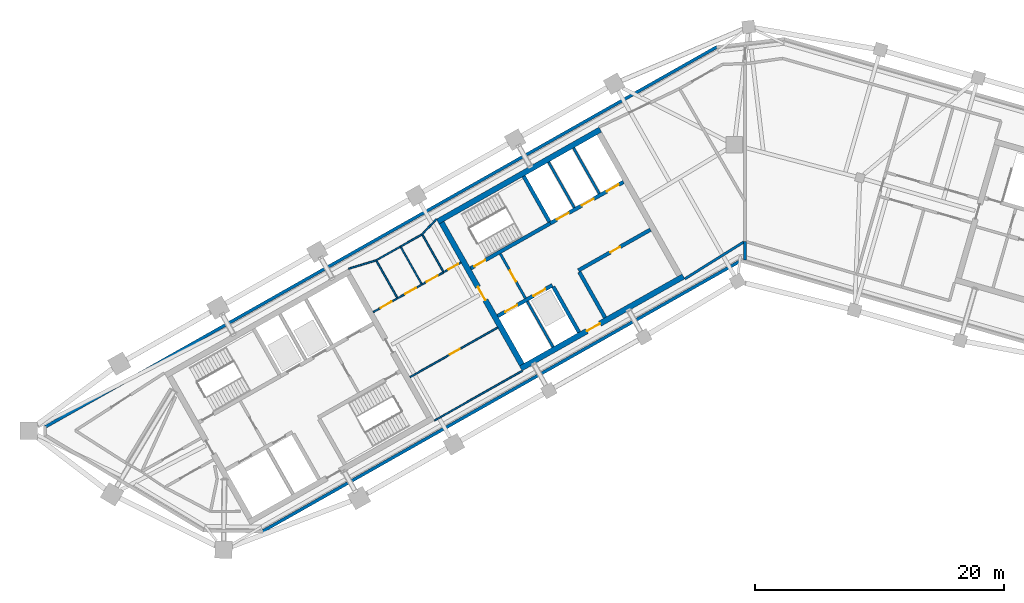
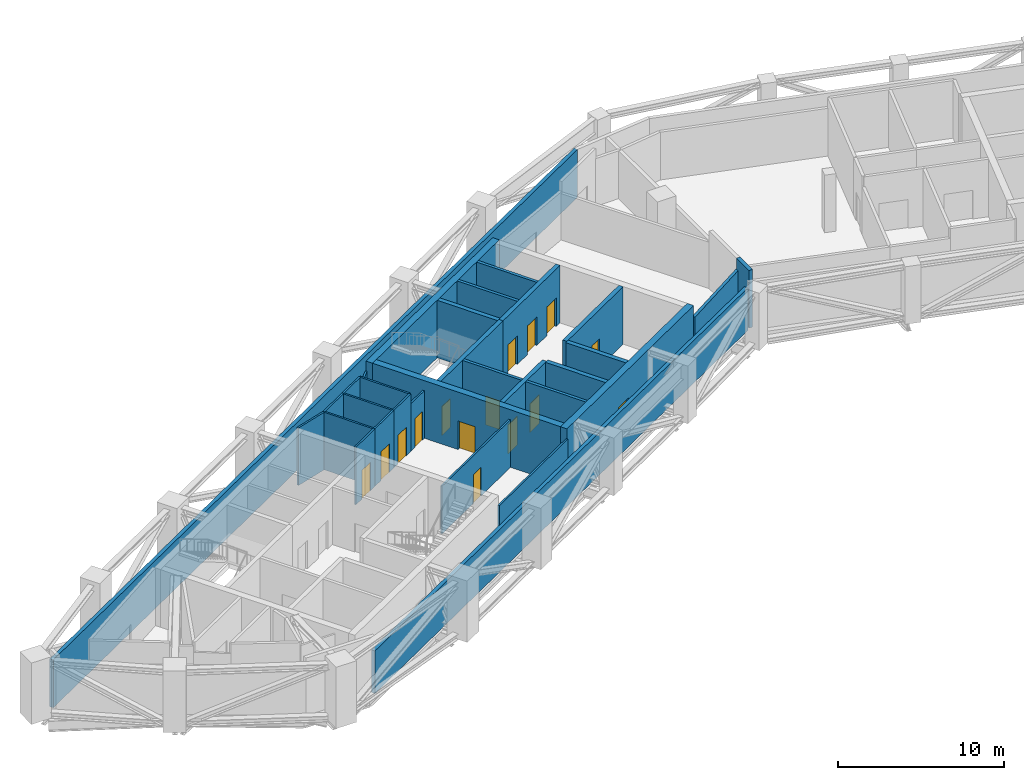
# One storey, part 9 of 13: 31 walls, 15 doors, 15 openings.
"""IFC4 building model written with IfcOpenShell, lengths in metres."""

from ifc_helpers import new_model, si_unit, direction, frame, frame_2d, origin, place, context, subcontext, project, spatial, rectangle, extrude, material, layer, layer_set, type_object, element, fill, save


model = new_model("IFC4")

# Units and contexts
model_context = context("Model", 3, precision=1e-05, world=origin(), true_north=direction((0.0, 1.0)))
body_context = subcontext(model_context, "Body", "Model", "MODEL_VIEW")
ifc_project = project(units=[si_unit("LENGTHUNIT", "METRE"), si_unit("AREAUNIT", "SQUARE_METRE"), si_unit("VOLUMEUNIT", "CUBIC_METRE"), si_unit("PLANEANGLEUNIT", "RADIAN"), si_unit("MASSUNIT", "GRAM", prefix="KILO")], contexts=[model_context])

# Site, building, storey
site_placement = place(None, origin())
site = spatial("IfcSite", under=ifc_project, at=site_placement, CompositionType="ELEMENT")
building_placement = place(site_placement, origin())
building = spatial("IfcBuilding", under=site, at=building_placement, Name="Binnacle Exchange Tower", CompositionType="ELEMENT")
storey_placement = place(building_placement, frame((0.0, 0.0, 258.199951171875)))
storey = spatial("IfcBuildingStorey", under=building, at=storey_placement, Name="L57", CompositionType="ELEMENT", Elevation=258.199951171875)

# Wall, openings, doors
ifc_material_1 = material(Name="Concrete C70/85", Category="concrete")
ifc_layer_1 = layer(ifc_material_1, 0.300048828125)
ifc_layer_set_1 = layer_set([ifc_layer_1], Name="Core wall - front 300")
wall_type_1 = type_object("IfcWallType", Name="Core wall - front 300", PredefinedType="SOLIDWALL", material=ifc_layer_set_1)
wall_1_placement = place(storey_placement, frame((-19.8486328125, 46.242431640625, 0.0), z_axis=(0.0, 0.0, 1.0), x_axis=(0.870347559728, 0.492437940532, 0.0)))
wall_1 = element("IfcWall", 1, at=wall_1_placement, inside=storey, type_object=wall_type_1, Name="Core wall CRWC2", PredefinedType="SOLIDWALL", context=body_context, shape_type="SweptSolid", body=[
    extrude(rectangle(XDim=5.050048828125, YDim=0.300048828125, at=frame_2d((2.52490234375, 0.0))), origin(), (0.0, 0.0, 1.0), 4.219970703125),
])
opening_1_placement = place(wall_1_placement, frame((0.7001953125, 0.0, 0.0)))
opening_1 = element("IfcOpeningElement", 2, at=opening_1_placement, cuts=wall_1, Name="Opening LD14", PredefinedType="OPENING", context=body_context, shape_type="SweptSolid", body=[
    extrude(rectangle(XDim=1.10009765625, YDim=2.10009765625, at=frame_2d((0.550048828125, 1.050048828125))), frame((0.0, 0.159912109375, 0.0), z_axis=(0.0, -1.0, 0.0), x_axis=(1.0, 0.0, 0.0)), (0.0, 0.0, 1.0), 0.320068359375),
])
opening_2_placement = place(wall_1_placement, frame((3.300048828125, 0.0, 0.0)))
opening_2 = element("IfcOpeningElement", 3, at=opening_2_placement, cuts=wall_1, Name="Opening LD11", PredefinedType="OPENING", context=body_context, shape_type="SweptSolid", body=[
    extrude(rectangle(XDim=1.10009765625, YDim=2.10009765625, at=frame_2d((0.550048828125, 1.050048828125))), frame((0.0, 0.159912109375, 0.0), z_axis=(0.0, -1.0, 0.0), x_axis=(1.0, 0.0, 0.0)), (0.0, 0.0, 1.0), 0.320068359375),
])
ifc_material_2 = material(Name="Steel door leaf", Category="steel")
door_type_1 = type_object("IfcDoorType", Name="Fire door - lift landing 1100", OperationType="NOTDEFINED", PredefinedType="DOOR", material=ifc_material_2)
door_1_placement = place(opening_1_placement, origin())
door_1 = element("IfcDoor", 4, at=door_1_placement, inside=storey, type_object=door_type_1, Name="Landing door LD14 L57", OperationType="DOUBLE_DOOR_SLIDING", OverallHeight=2.10009765625, OverallWidth=1.10009765625, PredefinedType="DOOR", context=body_context, shape_type="SweptSolid", body=[
    extrude(rectangle(XDim=1.10009765625, YDim=2.10009765625, at=frame_2d((0.550048828125, 1.050048828125))), frame((0.0, 0.02490234375, 0.0), z_axis=(0.0, -1.0, 0.0), x_axis=(1.0, 0.0, 0.0)), (0.0, 0.0, 1.0), 0.050048828125),
])
fill(opening_1, door_1)
door_2_placement = place(opening_2_placement, origin())
door_2 = element("IfcDoor", 5, at=door_2_placement, inside=storey, type_object=door_type_1, Name="Landing door LD11 L57", OperationType="DOUBLE_DOOR_SLIDING", OverallHeight=2.10009765625, OverallWidth=1.10009765625, PredefinedType="DOOR", context=body_context, shape_type="SweptSolid", body=[
    extrude(rectangle(XDim=1.10009765625, YDim=2.10009765625, at=frame_2d((0.550048828125, 1.050048828125))), frame((0.0, 0.02490234375, 0.0), z_axis=(0.0, -1.0, 0.0), x_axis=(1.0, 0.0, 0.0)), (0.0, 0.0, 1.0), 0.050048828125),
])
fill(opening_2, door_2)

# Wall, opening, door
wall_2_placement = place(storey_placement, frame((-13.364501953125, 49.910888671875, 0.0), z_axis=(0.0, 0.0, 1.0), x_axis=(0.870352159619, 0.492429810477, 0.0)))
wall_2 = element("IfcWall", 6, at=wall_2_placement, inside=storey, type_object=wall_type_1, Name="Core wall CRWC3", PredefinedType="SOLIDWALL", context=body_context, shape_type="SweptSolid", body=[
    extrude(rectangle(XDim=6.64990234375, YDim=0.300048828125, at=frame_2d((3.324951171875, 0.0))), origin(), (0.0, 0.0, 1.0), 4.219970703125),
])
opening_3_placement = place(wall_2_placement, frame((2.949951171875, 0.0, 0.0)))
opening_3 = element("IfcOpeningElement", 7, at=opening_3_placement, cuts=wall_2, Name="Opening DC18", PredefinedType="OPENING", context=body_context, shape_type="SweptSolid", body=[
    extrude(rectangle(XDim=0.89990234375, YDim=2.10009765625, at=frame_2d((0.449951171875, 1.050048828125))), frame((0.0, 0.159912109375, 0.0), z_axis=(0.0, -1.0, 0.0), x_axis=(1.0, 0.0, 0.0)), (0.0, 0.0, 1.0), 0.320068359375),
])
door_type_2 = type_object("IfcDoorType", Name="Fire door 900", OperationType="NOTDEFINED", PredefinedType="DOOR", material=ifc_material_2)
door_3_placement = place(opening_3_placement, frame((0.89990234375, 0.0, 0.0), z_axis=(0.0, 0.0, 1.0), x_axis=(-1.0, 0.0, 0.0)))
door_3 = element("IfcDoor", 8, at=door_3_placement, inside=storey, type_object=door_type_2, Name="Core room door STAFF PANTRY AND STORE", OperationType="SINGLE_SWING_LEFT", OverallHeight=2.10009765625, OverallWidth=0.89990234375, PredefinedType="DOOR", context=body_context, shape_type="SweptSolid", body=[
    extrude(rectangle(XDim=0.89990234375, YDim=2.10009765625, at=frame_2d((0.449951171875, 1.050048828125))), frame((0.0, 0.02490234375, 0.0), z_axis=(0.0, -1.0, 0.0), x_axis=(1.0, 0.0, 0.0)), (0.0, 0.0, 1.0), 0.050048828125),
])
fill(opening_3, door_3)

# Wall, openings, doors
wall_3_placement = place(storey_placement, frame((-15.6181640625, 53.69140625, 0.0), z_axis=(0.0, 0.0, 1.0), x_axis=(0.870358646884, 0.492418344291, 0.0)))
wall_3 = element("IfcWall", 9, at=wall_3_placement, inside=storey, type_object=wall_type_1, Name="Core wall CRWC5", PredefinedType="SOLIDWALL", context=body_context, shape_type="SweptSolid", body=[
    extrude(rectangle(XDim=6.749755859375, YDim=0.300048828125, at=frame_2d((3.375, 0.0))), origin(), (0.0, 0.0, 1.0), 4.219970703125),
])
opening_4_placement = place(wall_3_placement, frame((0.60009765625, 0.0, 0.0)))
opening_4 = element("IfcOpeningElement", 10, at=opening_4_placement, cuts=wall_3, Name="Opening LD5", PredefinedType="OPENING", context=body_context, shape_type="SweptSolid", body=[
    extrude(rectangle(XDim=1.10009765625, YDim=2.10009765625, at=frame_2d((0.550048828125, 1.050048828125))), frame((0.0, 0.159912109375, 0.0), z_axis=(0.0, -1.0, 0.0), x_axis=(1.0, 0.0, 0.0)), (0.0, 0.0, 1.0), 0.320068359375),
])
opening_5_placement = place(wall_3_placement, frame((2.89990234375, 0.0, 0.0)))
opening_5 = element("IfcOpeningElement", 11, at=opening_5_placement, cuts=wall_3, Name="Opening LD6", PredefinedType="OPENING", context=body_context, shape_type="SweptSolid", body=[
    extrude(rectangle(XDim=1.10009765625, YDim=2.10009765625, at=frame_2d((0.550048828125, 1.050048828125))), frame((0.0, 0.159912109375, 0.0), z_axis=(0.0, -1.0, 0.0), x_axis=(1.0, 0.0, 0.0)), (0.0, 0.0, 1.0), 0.320068359375),
])
opening_6_placement = place(wall_3_placement, frame((5.199951171875, 0.0, 0.0)))
opening_6 = element("IfcOpeningElement", 12, at=opening_6_placement, cuts=wall_3, Name="Opening LD7", PredefinedType="OPENING", context=body_context, shape_type="SweptSolid", body=[
    extrude(rectangle(XDim=1.10009765625, YDim=2.10009765625, at=frame_2d((0.550048828125, 1.050048828125))), frame((0.0, 0.159912109375, 0.0), z_axis=(0.0, -1.0, 0.0), x_axis=(1.0, 0.0, 0.0)), (0.0, 0.0, 1.0), 0.320068359375),
])
door_4_placement = place(opening_4_placement, origin())
door_4 = element("IfcDoor", 13, at=door_4_placement, inside=storey, type_object=door_type_1, Name="Landing door LD5 L57", OperationType="DOUBLE_DOOR_SLIDING", OverallHeight=2.10009765625, OverallWidth=1.10009765625, PredefinedType="DOOR", context=body_context, shape_type="SweptSolid", body=[
    extrude(rectangle(XDim=1.10009765625, YDim=2.10009765625, at=frame_2d((0.550048828125, 1.050048828125))), frame((0.0, 0.02490234375, 0.0), z_axis=(0.0, -1.0, 0.0), x_axis=(1.0, 0.0, 0.0)), (0.0, 0.0, 1.0), 0.050048828125),
])
fill(opening_4, door_4)
door_5_placement = place(opening_5_placement, origin())
door_5 = element("IfcDoor", 14, at=door_5_placement, inside=storey, type_object=door_type_1, Name="Landing door LD6 L57", OperationType="DOUBLE_DOOR_SLIDING", OverallHeight=2.10009765625, OverallWidth=1.10009765625, PredefinedType="DOOR", context=body_context, shape_type="SweptSolid", body=[
    extrude(rectangle(XDim=1.10009765625, YDim=2.10009765625, at=frame_2d((0.550048828125, 1.050048828125))), frame((0.0, 0.02490234375, 0.0), z_axis=(0.0, -1.0, 0.0), x_axis=(1.0, 0.0, 0.0)), (0.0, 0.0, 1.0), 0.050048828125),
])
fill(opening_5, door_5)
door_6_placement = place(opening_6_placement, origin())
door_6 = element("IfcDoor", 15, at=door_6_placement, inside=storey, type_object=door_type_1, Name="Landing door LD7 L57", OperationType="DOUBLE_DOOR_SLIDING", OverallHeight=2.10009765625, OverallWidth=1.10009765625, PredefinedType="DOOR", context=body_context, shape_type="SweptSolid", body=[
    extrude(rectangle(XDim=1.10009765625, YDim=2.10009765625, at=frame_2d((0.550048828125, 1.050048828125))), frame((0.0, 0.02490234375, 0.0), z_axis=(0.0, -1.0, 0.0), x_axis=(1.0, 0.0, 0.0)), (0.0, 0.0, 1.0), 0.050048828125),
])
fill(opening_6, door_6)

# Walls
for number, where, z_axis, x_axis, name in (
    (16, (-15.37939453125, 48.5986328125, 0.0), (0.0, 0.0, 1.0), (0.492409653846, -0.870363563575, 0.0), "Core wall CRWC13"),
    (17, (-13.29052734375, 49.780517578125, 0.0), (0.0, 0.0, 1.0), (0.492409653846, -0.870363563575, 0.0), "Core wall CRWC15"),
):
    element("IfcWall", number, at=place(storey_placement, frame(where, z_axis=z_axis, x_axis=x_axis)), inside=storey, type_object=wall_type_1, Name=name, PredefinedType="SOLIDWALL", context=body_context, shape_type="SweptSolid", body=[
        extrude(rectangle(XDim=4.199951171875, YDim=0.300048828125, at=frame_2d((2.10009765625, 0.0))), origin(), (0.0, 0.0, 1.0), 4.219970703125),
    ])

# Wall, opening, door
ifc_layer_2 = layer(ifc_material_1, 0.449951171875)
ifc_layer_set_2 = layer_set([ifc_layer_2], Name="Core wall - outer 450")
wall_type_2 = type_object("IfcWallType", Name="Core wall - outer 450", PredefinedType="SOLIDWALL", material=ifc_layer_set_2)
wall_4_placement = place(storey_placement, frame((-17.987548828125, 42.0390625, 0.0), z_axis=(0.0, 0.0, 1.0), x_axis=(0.870360574057, 0.492414937962, 0.0)))
wall_4 = element("IfcWall", 18, at=wall_4_placement, inside=storey, type_object=wall_type_2, Name="Core wall CRWC1", PredefinedType="SOLIDWALL", context=body_context, shape_type="SweptSolid", body=[
    extrude(rectangle(XDim=15.0, YDim=0.449951171875, at=frame_2d((7.5, 0.0))), origin(), (0.0, 0.0, 1.0), 4.219970703125),
])
opening_7_placement = place(wall_4_placement, frame((6.10009765625, 0.0, 0.0)))
opening_7 = element("IfcOpeningElement", 19, at=opening_7_placement, cuts=wall_4, Name="Opening DC7", PredefinedType="OPENING", context=body_context, shape_type="SweptSolid", body=[
    extrude(rectangle(XDim=1.199951171875, YDim=2.10009765625, at=frame_2d((0.60009765625, 1.050048828125))), frame((0.0, 0.23486328125, 0.0), z_axis=(0.0, -1.0, 0.0), x_axis=(1.0, 0.0, 0.0)), (0.0, 0.0, 1.0), 0.469970703125),
])
door_type_3 = type_object("IfcDoorType", Name="Fire door 1200", OperationType="NOTDEFINED", PredefinedType="DOOR", material=ifc_material_2)
door_7_placement = place(opening_7_placement, frame((1.199951171875, 0.0, 0.0), z_axis=(0.0, 0.0, 1.0), x_axis=(-1.0, 0.0, 0.0)))
door_7 = element("IfcDoor", 20, at=door_7_placement, inside=storey, type_object=door_type_3, Name="Lift lobby entrance door core C", OperationType="SINGLE_SWING_RIGHT", OverallHeight=2.10009765625, OverallWidth=1.199951171875, PredefinedType="DOOR", context=body_context, shape_type="SweptSolid", body=[
    extrude(rectangle(XDim=1.199951171875, YDim=2.10009765625, at=frame_2d((0.60009765625, 1.050048828125))), frame((0.0, 0.02490234375, 0.0), z_axis=(0.0, -1.0, 0.0), x_axis=(1.0, 0.0, 0.0)), (0.0, 0.0, 1.0), 0.050048828125),
])
fill(opening_7, door_7)

# Wall
wall_5_placement = place(storey_placement, frame((-24.659912109375, 53.832275390625, 0.0), z_axis=(0.0, 0.0, 1.0), x_axis=(0.870353598469, 0.492427267353, 0.0)))
element("IfcWall", 21, at=wall_5_placement, inside=storey, type_object=wall_type_2, Name="Core wall CRWC6", PredefinedType="SOLIDWALL", context=body_context, shape_type="SweptSolid", body=[
    extrude(rectangle(XDim=15.000244140625, YDim=0.449951171875, at=frame_2d((7.5, 0.0))), origin(), (0.0, 0.0, 1.0), 4.219970703125),
])

# Wall, opening, door
wall_6_placement = place(storey_placement, frame((-24.353271484375, 53.747314453125, 0.0), z_axis=(0.0, 0.0, 1.0), x_axis=(0.492435496286, -0.870348942665, 0.0)))
wall_6 = element("IfcWall", 22, at=wall_6_placement, inside=storey, type_object=wall_type_2, Name="Core wall CRWC7", PredefinedType="SOLIDWALL", context=body_context, shape_type="SweptSolid", body=[
    extrude(rectangle(XDim=13.10009765625, YDim=0.449951171875, at=frame_2d((6.550048828125, 0.0))), origin(), (0.0, 0.0, 1.0), 4.219970703125),
])
opening_8_placement = place(wall_6_placement, frame((5.949951171875, 0.0, 0.0)))
opening_8 = element("IfcOpeningElement", 23, at=opening_8_placement, cuts=wall_6, Name="Opening DC5", PredefinedType="OPENING", context=body_context, shape_type="SweptSolid", body=[
    extrude(rectangle(XDim=1.199951171875, YDim=2.10009765625, at=frame_2d((0.60009765625, 1.050048828125))), frame((0.0, 0.23486328125, 0.0), z_axis=(0.0, -1.0, 0.0), x_axis=(1.0, 0.0, 0.0)), (0.0, 0.0, 1.0), 0.469970703125),
])
door_8_placement = place(opening_8_placement, frame((1.199951171875, 0.0, 0.0), z_axis=(0.0, 0.0, 1.0), x_axis=(-1.0, 0.0, 0.0)))
door_8 = element("IfcDoor", 24, at=door_8_placement, inside=storey, type_object=door_type_3, Name="Vestibule exit door VEST-W", OperationType="SINGLE_SWING_RIGHT", OverallHeight=2.10009765625, OverallWidth=1.199951171875, PredefinedType="DOOR", context=body_context, shape_type="SweptSolid", body=[
    extrude(rectangle(XDim=1.199951171875, YDim=2.10009765625, at=frame_2d((0.60009765625, 1.050048828125))), frame((0.0, 0.02490234375, 0.0), z_axis=(0.0, -1.0, 0.0), x_axis=(1.0, 0.0, 0.0)), (0.0, 0.0, 1.0), 0.050048828125),
])
fill(opening_8, door_8)

ifc_layer_3 = layer(ifc_material_1, 0.300048828125)
ifc_layer_set_3 = layer_set([ifc_layer_3], Name="Core wall - stair 300")
wall_type_3 = type_object("IfcWallType", Name="Core wall - stair 300", PredefinedType="SOLIDWALL", material=ifc_layer_set_3)
wall_7_placement = place(storey_placement, frame((-22.015380859375, 50.072021484375, 0.0), z_axis=(0.0, 0.0, 1.0), x_axis=(0.870354900257, 0.492424966466, 0.0)))
wall_7 = element("IfcWall", 25, at=wall_7_placement, inside=storey, type_object=wall_type_3, Name="Core wall CRWC4", PredefinedType="SOLIDWALL", context=body_context, shape_type="SweptSolid", body=[
    extrude(rectangle(XDim=7.35009765625, YDim=0.300048828125, at=frame_2d((3.675048828125, 0.0))), origin(), (0.0, 0.0, 1.0), 4.219970703125),
])
opening_9_placement = place(wall_7_placement, frame((0.35009765625, 0.0, 0.0)))
opening_9 = element("IfcOpeningElement", 26, at=opening_9_placement, cuts=wall_7, Name="Opening DC1", PredefinedType="OPENING", context=body_context, shape_type="SweptSolid", body=[
    extrude(rectangle(XDim=1.0, YDim=2.10009765625, at=frame_2d((0.5, 1.050048828125))), frame((0.0, 0.159912109375, 0.0), z_axis=(0.0, -1.0, 0.0), x_axis=(1.0, 0.0, 0.0)), (0.0, 0.0, 1.0), 0.320068359375),
])
door_type_4 = type_object("IfcDoorType", Name="Fire door 1000", OperationType="NOTDEFINED", PredefinedType="DOOR", material=ifc_material_2)
door_9_placement = place(opening_9_placement, origin())
door_9 = element("IfcDoor", 27, at=door_9_placement, inside=storey, type_object=door_type_4, Name="Stair door ST-C1", OperationType="SINGLE_SWING_LEFT", OverallHeight=2.10009765625, OverallWidth=1.0, PredefinedType="DOOR", context=body_context, shape_type="SweptSolid", body=[
    extrude(rectangle(XDim=1.0, YDim=2.10009765625, at=frame_2d((0.5, 1.050048828125))), frame((0.0, 0.02490234375, 0.0), z_axis=(0.0, -1.0, 0.0), x_axis=(1.0, 0.0, 0.0)), (0.0, 0.0, 1.0), 0.050048828125),
])
fill(opening_9, door_9)

# Walls
wall_8_placement = place(storey_placement, frame((-17.76025390625, 57.477294921875, 0.0), z_axis=(0.0, 0.0, 1.0), x_axis=(0.49243456751, -0.870349468157, 0.0)))
element("IfcWall", 28, at=wall_8_placement, inside=storey, type_object=wall_type_3, Name="Core wall CRWC14", PredefinedType="SOLIDWALL", context=body_context, shape_type="SweptSolid", body=[
    extrude(rectangle(XDim=4.19970703125, YDim=0.300048828125, at=frame_2d((2.099853515625, 0.0))), origin(), (0.0, 0.0, 1.0), 4.219970703125),
])
ifc_material_3 = material(Name="Bronze aluminium louvre", Category="aluminium")
ifc_layer_4 = layer(ifc_material_3, 0.25)
ifc_layer_set_4 = layer_set([ifc_layer_4], Name="External wall - plant floor louvre 250")
wall_type_4 = type_object("IfcWallType", Name="External wall - plant floor louvre 250", PredefinedType="STANDARD", material=ifc_layer_set_4)
wall_9_placement = place(storey_placement, frame((-0.3642578125, 50.666259765625, 0.0), z_axis=(0.0, 0.0, 1.0), x_axis=(-0.870355021882, -0.492424751494, 0.0)))
element("IfcWall", 29, at=wall_9_placement, inside=storey, type_object=wall_type_4, Name="External wall EW-Gm00 L57", PredefinedType="STANDARD", context=body_context, shape_type="SweptSolid", body=[
    extrude(rectangle(XDim=44.12646484375, YDim=0.25, at=frame_2d((22.063232421875, 0.0))), origin(), (0.0, 0.0, 1.0), 3.1201171875),
])
wall_10_placement = place(storey_placement, frame((-56.251220703125, 37.30224609375, 0.0), z_axis=(0.0, 0.0, 1.0), x_axis=(0.87035543516, 0.49242402103, 0.0)))
element("IfcWall", 30, at=wall_10_placement, inside=storey, type_object=wall_type_4, Name="External wall EW-Gm06 L57", PredefinedType="STANDARD", context=body_context, shape_type="SweptSolid", body=[
    extrude(rectangle(XDim=62.06689453125, YDim=0.25, at=frame_2d((31.033447265625, 0.0))), origin(), (0.0, 0.0, 1.0), 3.511962890625),
])
ifc_material_4 = material(Name="Masonry block wall", Category="masonry")
ifc_layer_5 = layer(ifc_material_4, 0.199951171875)
ifc_layer_set_5 = layer_set([ifc_layer_5], Name="Fire wall - block 200")
wall_type_5 = type_object("IfcWallType", Name="Fire wall - block 200", PredefinedType="PARTITIONING", material=ifc_layer_set_5)
wall_11_placement = place(storey_placement, frame((-4.821044921875, 49.22998046875, 0.0), z_axis=(0.0, 0.0, 1.0), x_axis=(0.847455386679, 0.530866619396, 0.0)))
element("IfcWall", 31, at=wall_11_placement, inside=storey, type_object=wall_type_5, Name="Partition W29", PredefinedType="PARTITIONING", context=body_context, shape_type="SweptSolid", body=[
    extrude(rectangle(XDim=5.68896484375, YDim=0.199951171875, at=frame_2d((2.844482421875, 0.0))), origin(), (0.0, 0.0, 1.0), 3.400146484375),
])
ifc_material_5 = material(Name="Concrete fire wall C30/37", Category="concrete")
ifc_layer_6 = layer(ifc_material_5, 0.25)
ifc_layer_set_6 = layer_set([ifc_layer_6], Name="Fire wall - compartment 250")
wall_type_6 = type_object("IfcWallType", Name="Fire wall - compartment 250", PredefinedType="PARTITIONING", material=ifc_layer_set_6)
wall_12_placement = place(storey_placement, frame((0.0, 50.73095703125, 0.0), z_axis=(0.0, 0.0, 1.0), x_axis=(0.0, 1.0, 0.0)))
element("IfcWall", 32, at=wall_12_placement, inside=storey, type_object=wall_type_6, Name="Fire Wall W31", PredefinedType="PARTITIONING", context=body_context, shape_type="SweptSolid", body=[
    extrude(rectangle(XDim=1.51904296875, YDim=0.25, at=frame_2d((0.759521484375, 0.0))), origin(), (0.0, 0.0, 1.0), 4.219970703125),
])

# Wall, opening, door
ifc_layer_7 = layer(ifc_material_4, 0.199951171875)
ifc_layer_set_7 = layer_set([ifc_layer_7], Name="Fire wall - vestibule 200")
wall_type_7 = type_object("IfcWallType", Name="Fire wall - vestibule 200", PredefinedType="PARTITIONING", material=ifc_layer_set_7)
wall_13_placement = place(storey_placement, frame((-19.635009765625, 51.246337890625, 0.0), z_axis=(0.0, 0.0, 1.0), x_axis=(0.492408451753, -0.87036424366, 0.0)))
wall_13 = element("IfcWall", 33, at=wall_13_placement, inside=storey, type_object=wall_type_7, Name="Core wall CRWC10", PredefinedType="PARTITIONING", context=body_context, shape_type="SweptSolid", body=[
    extrude(rectangle(XDim=4.099853515625, YDim=0.199951171875, at=frame_2d((2.0498046875, 0.0))), origin(), (0.0, 0.0, 1.0), 4.219970703125),
])
opening_10_placement = place(wall_13_placement, frame((1.550048828125, 0.0, 0.0)))
opening_10 = element("IfcOpeningElement", 34, at=opening_10_placement, cuts=wall_13, Name="Opening DC3", PredefinedType="OPENING", context=body_context, shape_type="SweptSolid", body=[
    extrude(rectangle(XDim=1.0, YDim=2.10009765625, at=frame_2d((0.5, 1.050048828125))), frame((0.0, 0.10986328125, 0.0), z_axis=(0.0, -1.0, 0.0), x_axis=(1.0, 0.0, 0.0)), (0.0, 0.0, 1.0), 0.219970703125),
])
door_10_placement = place(opening_10_placement, frame((1.0, 0.0, 0.0), z_axis=(0.0, 0.0, 1.0), x_axis=(-1.0, 0.0, 0.0)))
door_10 = element("IfcDoor", 35, at=door_10_placement, inside=storey, type_object=door_type_4, Name="Vestibule door VEST-W", OperationType="SINGLE_SWING_RIGHT", OverallHeight=2.10009765625, OverallWidth=1.0, PredefinedType="DOOR", context=body_context, shape_type="SweptSolid", body=[
    extrude(rectangle(XDim=1.0, YDim=2.10009765625, at=frame_2d((0.5, 1.050048828125))), frame((0.0, 0.02490234375, 0.0), z_axis=(0.0, -1.0, 0.0), x_axis=(1.0, 0.0, 0.0)), (0.0, 0.0, 1.0), 0.050048828125),
])
fill(opening_10, door_10)

# Wall
ifc_material_6 = material(Name="Gypsum partition")
ifc_layer_8 = layer(ifc_material_6, 0.125)
ifc_layer_set_8 = layer_set([ifc_layer_8], Name="Partition 125")
wall_type_8 = type_object("IfcWallType", Name="Partition 125", PredefinedType="PARTITIONING", material=ifc_layer_set_8)
wall_14_placement = place(storey_placement, frame((-31.81201171875, 50.0439453125, 0.0), z_axis=(0.0, 0.0, 1.0), x_axis=(0.956397612161, 0.292067813107, 0.0)))
element("IfcWall", 36, at=wall_14_placement, inside=storey, type_object=wall_type_8, Name="Partition W13", PredefinedType="PARTITIONING", context=body_context, shape_type="SweptSolid", body=[
    extrude(rectangle(XDim=2.3046875, YDim=0.125, at=frame_2d((1.15234375, 0.0))), origin(), (0.0, 0.0, 1.0), 4.219970703125),
])

# Wall, opening, door
wall_15_placement = place(storey_placement, frame((-29.843017578125, 46.56298828125, 0.0), z_axis=(0.0, 0.0, 1.0), x_axis=(0.870437546499, 0.492278861667, 0.0)))
wall_15 = element("IfcWall", 37, at=wall_15_placement, inside=storey, type_object=wall_type_8, Name="Partition W14", PredefinedType="PARTITIONING", context=body_context, shape_type="SweptSolid", body=[
    extrude(rectangle(XDim=2.25048828125, YDim=0.125, at=frame_2d((1.125244140625, 0.0))), origin(), (0.0, 0.0, 1.0), 4.219970703125),
])
opening_11_placement = place(wall_15_placement, frame((0.699951171875, 0.0, 0.0)))
opening_11 = element("IfcOpeningElement", 38, at=opening_11_placement, cuts=wall_15, Name="Opening DL57-03", PredefinedType="OPENING", context=body_context, shape_type="SweptSolid", body=[
    extrude(rectangle(XDim=1.0, YDim=2.10009765625, at=frame_2d((0.5, 1.050048828125))), frame((0.0, 0.072509765625, 0.0), z_axis=(0.0, -1.0, 0.0), x_axis=(1.0, 0.0, 0.0)), (0.0, 0.0, 1.0), 0.14501953125),
])
ifc_material_7 = material(Name="Timber door leaf", Category="wood")
door_type_5 = type_object("IfcDoorType", Name="Door 1000", OperationType="NOTDEFINED", PredefinedType="DOOR", material=ifc_material_7)
door_11_placement = place(opening_11_placement, origin())
door_11 = element("IfcDoor", 39, at=door_11_placement, inside=storey, type_object=door_type_5, Name="Door DL57-03", OperationType="SINGLE_SWING_RIGHT", OverallHeight=2.10009765625, OverallWidth=1.0, PredefinedType="DOOR", context=body_context, shape_type="SweptSolid", body=[
    extrude(rectangle(XDim=1.0, YDim=2.10009765625, at=frame_2d((0.5, 1.050048828125))), frame((0.0, 0.02490234375, 0.0), z_axis=(0.0, -1.0, 0.0), x_axis=(1.0, 0.0, 0.0)), (0.0, 0.0, 1.0), 0.050048828125),
])
fill(opening_11, door_11)

# Walls
wall_16_placement = place(storey_placement, frame((-29.60791015625, 50.717041015625, 0.0), z_axis=(0.0, 0.0, 1.0), x_axis=(0.492521469645, -0.870300294116, 0.0)))
element("IfcWall", 40, at=wall_16_placement, inside=storey, type_object=wall_type_8, Name="Partition W15", PredefinedType="PARTITIONING", context=body_context, shape_type="SweptSolid", body=[
    extrude(rectangle(XDim=3.5, YDim=0.125, at=frame_2d((1.75, 0.0))), origin(), (0.0, 0.0, 1.0), 4.219970703125),
])
wall_17_placement = place(storey_placement, frame((-29.60791015625, 50.717041015625, 0.0), z_axis=(0.0, 0.0, 1.0), x_axis=(0.870332332106, 0.492464853254, 0.0)))
element("IfcWall", 41, at=wall_17_placement, inside=storey, type_object=wall_type_8, Name="Partition W16", PredefinedType="PARTITIONING", context=body_context, shape_type="SweptSolid", body=[
    extrude(rectangle(XDim=2.249755859375, YDim=0.125, at=frame_2d((1.125, 0.0))), origin(), (0.0, 0.0, 1.0), 4.219970703125),
])

# Wall, opening, door
wall_18_placement = place(storey_placement, frame((-27.884033203125, 47.6708984375, 0.0), z_axis=(0.0, 0.0, 1.0), x_axis=(0.870285818058, 0.4925470484, 0.0)))
wall_18 = element("IfcWall", 42, at=wall_18_placement, inside=storey, type_object=wall_type_8, Name="Partition W17", PredefinedType="PARTITIONING", context=body_context, shape_type="SweptSolid", body=[
    extrude(rectangle(XDim=2.249755859375, YDim=0.125, at=frame_2d((1.125, 0.0))), origin(), (0.0, 0.0, 1.0), 4.219970703125),
])
opening_12_placement = place(wall_18_placement, frame((0.699951171875, 0.0, 0.0)))
opening_12 = element("IfcOpeningElement", 43, at=opening_12_placement, cuts=wall_18, Name="Opening DL57-04", PredefinedType="OPENING", context=body_context, shape_type="SweptSolid", body=[
    extrude(rectangle(XDim=1.0, YDim=2.10009765625, at=frame_2d((0.5, 1.050048828125))), frame((0.0, 0.072509765625, 0.0), z_axis=(0.0, -1.0, 0.0), x_axis=(1.0, 0.0, 0.0)), (0.0, 0.0, 1.0), 0.14501953125),
])
door_12_placement = place(opening_12_placement, origin())
door_12 = element("IfcDoor", 44, at=door_12_placement, inside=storey, type_object=door_type_5, Name="Door DL57-04", OperationType="SINGLE_SWING_RIGHT", OverallHeight=2.10009765625, OverallWidth=1.0, PredefinedType="DOOR", context=body_context, shape_type="SweptSolid", body=[
    extrude(rectangle(XDim=1.0, YDim=2.10009765625, at=frame_2d((0.5, 1.050048828125))), frame((0.0, 0.02490234375, 0.0), z_axis=(0.0, -1.0, 0.0), x_axis=(1.0, 0.0, 0.0)), (0.0, 0.0, 1.0), 0.050048828125),
])
fill(opening_12, door_12)

# Walls
wall_19_placement = place(storey_placement, frame((-27.64990234375, 51.824951171875, 0.0), z_axis=(0.0, 0.0, 1.0), x_axis=(0.492551369934, -0.870283372228, 0.0)))
element("IfcWall", 45, at=wall_19_placement, inside=storey, type_object=wall_type_8, Name="Partition W18", PredefinedType="PARTITIONING", context=body_context, shape_type="SweptSolid", body=[
    extrude(rectangle(XDim=3.5, YDim=0.125, at=frame_2d((1.75, 0.0))), origin(), (0.0, 0.0, 1.0), 4.219970703125),
])
wall_20_placement = place(storey_placement, frame((-27.64990234375, 51.824951171875, 0.0), z_axis=(0.0, 0.0, 1.0), x_axis=(0.870330884088, 0.492467412326, 0.0)))
element("IfcWall", 46, at=wall_20_placement, inside=storey, type_object=wall_type_8, Name="Partition W19", PredefinedType="PARTITIONING", context=body_context, shape_type="SweptSolid", body=[
    extrude(rectangle(XDim=2.000244140625, YDim=0.125, at=frame_2d((1.0, 0.0))), origin(), (0.0, 0.0, 1.0), 4.219970703125),
])

# Wall, opening, door
wall_21_placement = place(storey_placement, frame((-26.887939453125, 41.340087890625, 0.0), z_axis=(0.0, 0.0, 1.0), x_axis=(0.870318838095, 0.492488700436, 0.0)))
wall_21 = element("IfcWall", 47, at=wall_21_placement, inside=storey, type_object=wall_type_8, Name="Partition W20", PredefinedType="PARTITIONING", context=body_context, shape_type="SweptSolid", body=[
    extrude(rectangle(XDim=8.09130859375, YDim=0.125, at=frame_2d((4.045654296875, 0.0))), origin(), (0.0, 0.0, 1.0), 3.491943359375),
])
opening_13_placement = place(wall_21_placement, frame((3.699951171875, 0.0, 0.0)))
opening_13 = element("IfcOpeningElement", 48, at=opening_13_placement, cuts=wall_21, Name="Opening DL57-07", PredefinedType="OPENING", context=body_context, shape_type="SweptSolid", body=[
    extrude(rectangle(XDim=0.89990234375, YDim=2.10009765625, at=frame_2d((0.449951171875, 1.050048828125))), frame((0.0, 0.072509765625, 0.0), z_axis=(0.0, -1.0, 0.0), x_axis=(1.0, 0.0, 0.0)), (0.0, 0.0, 1.0), 0.14501953125),
])
door_type_6 = type_object("IfcDoorType", Name="Door 900", OperationType="NOTDEFINED", PredefinedType="DOOR", material=ifc_material_7)
door_13_placement = place(opening_13_placement, frame((0.89990234375, 0.0, 0.0), z_axis=(0.0, 0.0, 1.0), x_axis=(-1.0, 0.0, 0.0)))
door_13 = element("IfcDoor", 49, at=door_13_placement, inside=storey, type_object=door_type_6, Name="Door DL57-07", OperationType="SINGLE_SWING_LEFT", OverallHeight=2.10009765625, OverallWidth=0.89990234375, PredefinedType="DOOR", context=body_context, shape_type="SweptSolid", body=[
    extrude(rectangle(XDim=0.89990234375, YDim=2.10009765625, at=frame_2d((0.449951171875, 1.050048828125))), frame((0.0, 0.02490234375, 0.0), z_axis=(0.0, -1.0, 0.0), x_axis=(1.0, 0.0, 0.0)), (0.0, 0.0, 1.0), 0.050048828125),
])
fill(opening_13, door_13)

wall_22_placement = place(storey_placement, frame((-25.926025390625, 48.779052734375, 0.0), z_axis=(0.0, 0.0, 1.0), x_axis=(0.870474108635, 0.492214207633, 0.0)))
wall_22 = element("IfcWall", 50, at=wall_22_placement, inside=storey, type_object=wall_type_8, Name="Partition W21", PredefinedType="PARTITIONING", context=body_context, shape_type="SweptSolid", body=[
    extrude(rectangle(XDim=1.998779296875, YDim=0.125, at=frame_2d((0.99951171875, 0.0))), origin(), (0.0, 0.0, 1.0), 4.219970703125),
])
opening_14_placement = place(wall_22_placement, frame((0.449951171875, 0.0, 0.0)))
opening_14 = element("IfcOpeningElement", 51, at=opening_14_placement, cuts=wall_22, Name="Opening DL57-05", PredefinedType="OPENING", context=body_context, shape_type="SweptSolid", body=[
    extrude(rectangle(XDim=1.0, YDim=2.10009765625, at=frame_2d((0.5, 1.050048828125))), frame((0.0, 0.072509765625, 0.0), z_axis=(0.0, -1.0, 0.0), x_axis=(1.0, 0.0, 0.0)), (0.0, 0.0, 1.0), 0.14501953125),
])
door_14_placement = place(opening_14_placement, origin())
door_14 = element("IfcDoor", 52, at=door_14_placement, inside=storey, type_object=door_type_5, Name="Door DL57-05", OperationType="SINGLE_SWING_LEFT", OverallHeight=2.10009765625, OverallWidth=1.0, PredefinedType="DOOR", context=body_context, shape_type="SweptSolid", body=[
    extrude(rectangle(XDim=1.0, YDim=2.10009765625, at=frame_2d((0.5, 1.050048828125))), frame((0.0, 0.02490234375, 0.0), z_axis=(0.0, -1.0, 0.0), x_axis=(1.0, 0.0, 0.0)), (0.0, 0.0, 1.0), 0.050048828125),
])
fill(opening_14, door_14)

# Walls
wall_23_placement = place(storey_placement, frame((-25.908935546875, 52.81005859375, 0.0), z_axis=(0.0, 0.0, 1.0), x_axis=(0.682678244456, 0.730719107829, 0.0)))
element("IfcWall", 53, at=wall_23_placement, inside=storey, type_object=wall_type_8, Name="Partition W22", PredefinedType="PARTITIONING", context=body_context, shape_type="SweptSolid", body=[
    extrude(rectangle(XDim=1.6669921875, YDim=0.125, at=frame_2d((0.83349609375, 0.0))), origin(), (0.0, 0.0, 1.0), 3.491943359375),
])
wall_24_placement = place(storey_placement, frame((-25.908935546875, 52.81005859375, 0.0), z_axis=(0.0, 0.0, 1.0), x_axis=(0.492190545807, -0.870487487916, 0.0)))
element("IfcWall", 54, at=wall_24_placement, inside=storey, type_object=wall_type_8, Name="Partition W23", PredefinedType="PARTITIONING", context=body_context, shape_type="SweptSolid", body=[
    extrude(rectangle(XDim=3.50048828125, YDim=0.125, at=frame_2d((1.750244140625, 0.0))), origin(), (0.0, 0.0, 1.0), 4.219970703125),
])
wall_25_placement = place(storey_placement, frame((-24.9189453125, 37.85888671875, 0.0), z_axis=(0.0, 0.0, 1.0), x_axis=(0.870357635969, 0.492420131098, 0.0)))
element("IfcWall", 55, at=wall_25_placement, inside=storey, type_object=wall_type_8, Name="Partition W24", PredefinedType="PARTITIONING", context=body_context, shape_type="SweptSolid", body=[
    extrude(rectangle(XDim=8.0908203125, YDim=0.125, at=frame_2d((4.04541015625, 0.0))), origin(), (0.0, 0.0, 1.0), 3.491943359375),
])

# Wall, opening, door
wall_26_placement = place(storey_placement, frame((-24.18603515625, 49.762939453125, 0.0), z_axis=(0.0, 0.0, 1.0), x_axis=(0.870199776528, 0.492699044986, 0.0)))
wall_26 = element("IfcWall", 56, at=wall_26_placement, inside=storey, type_object=wall_type_8, Name="Partition W25", PredefinedType="PARTITIONING", context=body_context, shape_type="SweptSolid", body=[
    extrude(rectangle(XDim=1.591552734375, YDim=0.125, at=frame_2d((0.7958984375, 0.0))), origin(), (0.0, 0.0, 1.0), 3.491943359375),
])
opening_15_placement = place(wall_26_placement, frame((0.449951171875, 0.0, 0.0)))
opening_15 = element("IfcOpeningElement", 57, at=opening_15_placement, cuts=wall_26, Name="Opening DL57-06", PredefinedType="OPENING", context=body_context, shape_type="SweptSolid", body=[
    extrude(rectangle(XDim=0.89990234375, YDim=2.10009765625, at=frame_2d((0.449951171875, 1.050048828125))), frame((0.0, 0.072509765625, 0.0), z_axis=(0.0, -1.0, 0.0), x_axis=(1.0, 0.0, 0.0)), (0.0, 0.0, 1.0), 0.14501953125),
])
door_15_placement = place(opening_15_placement, origin())
door_15 = element("IfcDoor", 58, at=door_15_placement, inside=storey, type_object=door_type_6, Name="Door DL57-06", OperationType="SINGLE_SWING_RIGHT", OverallHeight=2.10009765625, OverallWidth=0.89990234375, PredefinedType="DOOR", context=body_context, shape_type="SweptSolid", body=[
    extrude(rectangle(XDim=0.89990234375, YDim=2.10009765625, at=frame_2d((0.449951171875, 1.050048828125))), frame((0.0, 0.02490234375, 0.0), z_axis=(0.0, -1.0, 0.0), x_axis=(1.0, 0.0, 0.0)), (0.0, 0.0, 1.0), 0.050048828125),
])
fill(opening_15, door_15)

# Walls
ifc_layer_9 = layer(ifc_material_4, 0.199951171875)
ifc_layer_set_9 = layer_set([ifc_layer_9], Name="Shaft wall 200")
wall_type_9 = type_object("IfcWallType", Name="Shaft wall 200", PredefinedType="SOLIDWALL", material=ifc_layer_set_9)
wall_27_placement = place(storey_placement, frame((-17.468505859375, 47.416748046875, 0.0), z_axis=(0.0, 0.0, 1.0), x_axis=(0.492453686477, -0.870338650569, 0.0)))
element("IfcWall", 59, at=wall_27_placement, inside=storey, type_object=wall_type_9, Name="Core wall CRWC9", PredefinedType="SOLIDWALL", context=body_context, shape_type="SweptSolid", body=[
    extrude(rectangle(XDim=4.2001953125, YDim=0.199951171875, at=frame_2d((2.10009765625, 0.0))), origin(), (0.0, 0.0, 1.0), 4.219970703125),
])
for number, where, z_axis, x_axis, name in (
    (60, (-15.75830078125, 58.60986328125, 0.0), (0.0, 0.0, 1.0), (0.492409653846, -0.870363563575, 0.0), "Core wall CRWC18"),
    (61, (-13.756591796875, 59.742431640625, 0.0), (0.0, 0.0, 1.0), (0.492409653846, -0.870363563575, 0.0), "Core wall CRWC21"),
):
    element("IfcWall", number, at=place(storey_placement, frame(where, z_axis=z_axis, x_axis=x_axis)), inside=storey, type_object=wall_type_9, Name=name, PredefinedType="SOLIDWALL", context=body_context, shape_type="SweptSolid", body=[
        extrude(rectangle(XDim=4.199951171875, YDim=0.199951171875, at=frame_2d((2.10009765625, 0.0))), origin(), (0.0, 0.0, 1.0), 4.219970703125),
    ])

save(model, "model.ifc")
